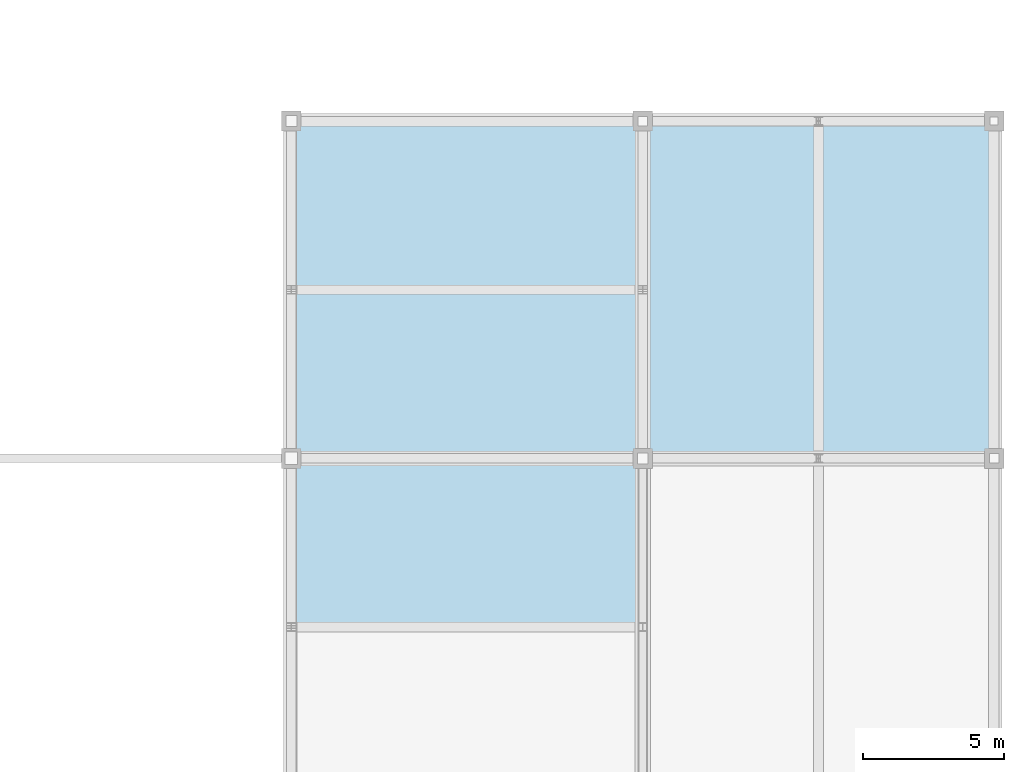
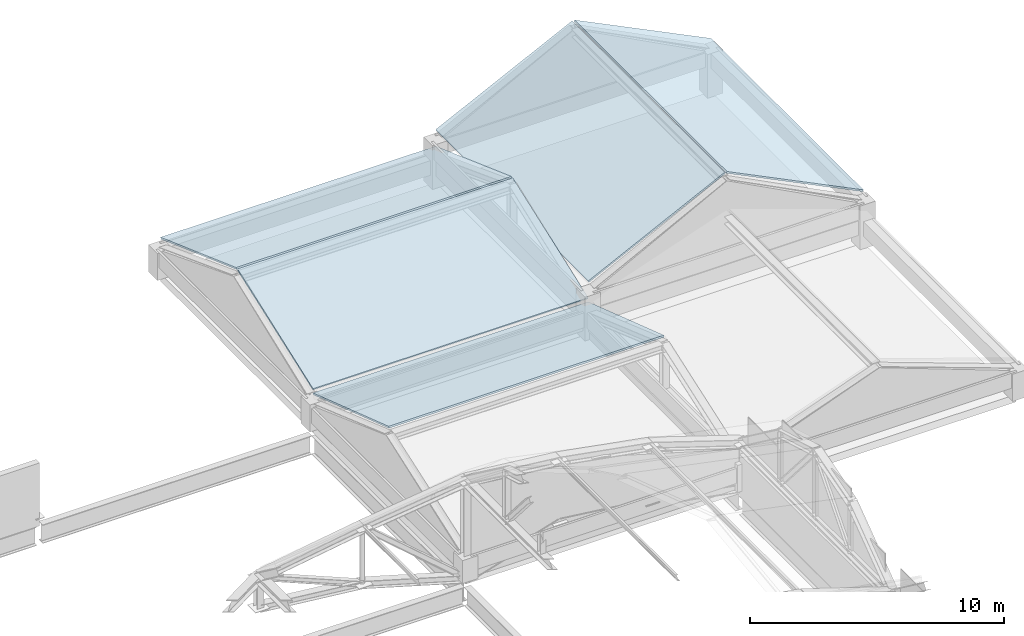
# One storey, part 115 of 117: 5 roofs.
"""IFC4 building model written with IfcOpenShell, lengths in metres."""

import ifcopenshell
import ifcopenshell.guid

model = None  # the IFC model being written
_history = None  # IfcOwnerHistory: only IFC2X3 demands one
_inside = {}  # id of a spatial element -> (the spatial element, [elements in it])
_under = {}  # id of a project, library or spatial element -> (it, [spatial elements below it])
_declared = {}  # id of a project -> (the project, [libraries it declares])
_typed = {}  # id of a type object -> (the type object, [elements of that type])
_made_of = {}  # id of a material, layer set ... -> (it, [elements and type objects made of it])


def new_model(schema):
    """Start an empty IFC model of exactly this schema.

    Asked for "IFC4X3", IfcOpenShell would pick the latest addendum, in which some entities
    have other attributes; the version numbers below select the first issue.
    IFC2X3 requires an IfcOwnerHistory on every rooted entity: one is made here for all.
    """
    global model, _history
    if schema == "IFC4X3":
        model = ifcopenshell.file(schema_version=(4, 3, 0, 0))
    else:
        model = ifcopenshell.file(schema=schema)
    _inside.clear()
    _under.clear()
    _declared.clear()
    _typed.clear()
    _made_of.clear()
    _history = None
    if model.schema == "IFC2X3":
        org = make("IfcOrganization", Name="unknown")
        user = make(
            "IfcPersonAndOrganization",
            ThePerson=make("IfcPerson", FamilyName="unknown"),
            TheOrganization=org,
        )
        app = make(
            "IfcApplication",
            ApplicationDeveloper=org,
            Version="unknown",
            ApplicationFullName="unknown",
            ApplicationIdentifier="unknown",
        )
        _history = make(
            "IfcOwnerHistory",
            OwningUser=user,
            OwningApplication=app,
            ChangeAction="ADDED",
            CreationDate=0,
        )
    return model


def make(cls, **values):
    """One entity of the class cls with the attributes given. An attribute that is None is left unset."""
    return model.create_entity(
        cls, **{name: value for name, value in values.items() if value is not None}
    )


def rooted(cls, **values):
    """An entity with a GlobalId (a new one), such as an element, a storey or a relation."""
    return make(cls, GlobalId=ifcopenshell.guid.new(), OwnerHistory=_history, **values)


def si_unit(unit_type, name, prefix=None):
    """IfcSIUnit, for example si_unit("LENGTHUNIT", "METRE", prefix="MILLI")."""
    return make("IfcSIUnit", UnitType=unit_type, Prefix=prefix, Name=name)


def assignment(units):
    """IfcUnitAssignment: the units of a project."""
    return None if units is None else make("IfcUnitAssignment", Units=units)


def point(xyz):
    """IfcCartesianPoint."""
    return None if xyz is None else make("IfcCartesianPoint", Coordinates=xyz)


def direction(xyz):
    """IfcDirection."""
    return None if xyz is None else make("IfcDirection", DirectionRatios=xyz)


def frame(location, z_axis=None, x_axis=None):
    """IfcAxis2Placement3D, a coordinate frame: its origin and axes. An axis left out is left unset."""
    return make(
        "IfcAxis2Placement3D",
        Location=point(location),
        Axis=direction(z_axis),
        RefDirection=direction(x_axis),
    )


def origin():
    """The frame at (0, 0, 0) with its axes left unset."""
    return frame((0.0, 0.0, 0.0))


def place(relative_to, where):
    """IfcLocalPlacement: puts the frame where relative to a parent placement (None: the world)."""
    return make(
        "IfcLocalPlacement", PlacementRelTo=relative_to, RelativePlacement=where
    )


def context(
    kind, dimensions, precision=None, world=None, true_north=None, identifier=None
):
    """IfcGeometricRepresentationContext, for example the 3D "Model" context."""
    return make(
        "IfcGeometricRepresentationContext",
        ContextIdentifier=identifier,
        ContextType=kind,
        CoordinateSpaceDimension=dimensions,
        Precision=precision,
        WorldCoordinateSystem=world,
        TrueNorth=true_north,
    )


def subcontext(parent, identifier, kind, view, scale=None):
    """IfcGeometricRepresentationSubContext, for example "Body" below "Model"."""
    return make(
        "IfcGeometricRepresentationSubContext",
        ContextIdentifier=identifier,
        ContextType=kind,
        ParentContext=parent,
        TargetScale=scale,
        TargetView=view,
    )


def project(units=None, contexts=None):
    """IfcProject with its units and contexts."""
    return rooted(
        "IfcProject",
        Name="project",
        RepresentationContexts=contexts,
        UnitsInContext=assignment(units),
    )


def spatial(cls, under=None, at=None, **own):
    """A site, building, storey or space (cls), placed at a placement, below another one or the project."""
    s = rooted(cls, ObjectPlacement=at, **own)
    if under is not None:
        _under.setdefault(under.id(), (under, []))[1].append(s)
    return s


def polyline(points):
    """IfcPolyline through the points."""
    return make("IfcPolyline", Points=[point(p) for p in points])


def outline(outer, holes=None, kind="AREA"):
    """IfcArbitraryClosedProfileDef: a profile drawn as a closed curve; with holes, ...WithVoids."""
    if holes is None:
        return make("IfcArbitraryClosedProfileDef", ProfileType=kind, OuterCurve=outer)
    return make(
        "IfcArbitraryProfileDefWithVoids",
        ProfileType=kind,
        OuterCurve=outer,
        InnerCurves=holes,
    )


def extrude(swept, where, along, depth):
    """IfcExtrudedAreaSolid: the profile swept, set in the frame where, extruded along a direction by depth."""
    return make(
        "IfcExtrudedAreaSolid",
        SweptArea=swept,
        Position=where,
        ExtrudedDirection=direction(along),
        Depth=depth,
    )


def shape(context_of_items, identifier, shape_type, items):
    """IfcShapeRepresentation: the items that make up one representation, for example the "Body"."""
    return make(
        "IfcShapeRepresentation",
        ContextOfItems=context_of_items,
        RepresentationIdentifier=identifier,
        RepresentationType=shape_type,
        Items=items,
    )


def material(Name=None, Category=None):
    """IfcMaterial."""
    return make("IfcMaterial", Name=Name, Category=Category)


def layer(
    of_material, thickness, ventilated=None, Name=None, Category=None, Priority=None
):
    """IfcMaterialLayer: one layer of a wall or slab, of a material (None: an air gap)."""
    return make(
        "IfcMaterialLayer",
        Material=of_material,
        LayerThickness=thickness,
        IsVentilated=ventilated,
        Name=Name,
        Category=Category,
        Priority=Priority,
    )


def layer_set(layers, Name=None):
    """IfcMaterialLayerSet."""
    return make("IfcMaterialLayerSet", MaterialLayers=layers, LayerSetName=Name)


def made_of(thing, what):
    """Note that an element or type object is made of a material, layer set ...; save() writes the relation."""
    if what is not None:
        _made_of.setdefault(what.id(), (what, []))[1].append(thing)
    return thing


def type_object(cls, material=None, **own):
    """A type object (cls), such as IfcWallType, which elements share."""
    return made_of(rooted(cls, **own), material)


def element(
    cls,
    number,
    at=None,
    inside=None,
    cuts=None,
    type_object=None,
    material=None,
    context=None,
    identifier="Body",
    shape_type=None,
    held_by="IfcProductDefinitionShape",
    body=None,
    shapes=None,
    **own,
):
    """One element of the class cls, such as IfcWall. Its Tag is "e" and its number.

    at: its placement. inside: the storey or other place that contains it. cuts: it is an
    opening in that element (IfcRelVoidsElement). A single representation is given by context,
    identifier, shape_type and body (its items); several are given by shapes. held_by: the class
    of the entity that holds the representations. save() writes the other relations.
    """
    e = rooted(cls, Tag="e%d" % number, ObjectPlacement=at, **own)
    if body is not None:
        shapes = [shape(context, identifier, shape_type, body)]
    if shapes is not None:
        e.Representation = make(held_by, Representations=shapes)
    if inside is not None:
        _inside.setdefault(inside.id(), (inside, []))[1].append(e)
    if cuts is not None:
        rooted(
            "IfcRelVoidsElement", RelatingBuildingElement=cuts, RelatedOpeningElement=e
        )
    if type_object is not None:
        _typed.setdefault(type_object.id(), (type_object, []))[1].append(e)
    return made_of(e, material)


def aggregate(whole, parts):
    """IfcRelAggregates: a whole, such as a stair, and the parts it consists of."""
    return rooted("IfcRelAggregates", RelatingObject=whole, RelatedObjects=parts)


def save(model, path):
    """Write the relations noted so far, then the file.

    IfcRelAggregates (storeys below a building ...), IfcRelContainedInSpatialStructure (elements
    in a storey), IfcRelDefinesByType, IfcRelAssociatesMaterial and IfcRelDeclares: one each for
    every whole, place, type object, material and project.
    """
    for whole, parts in _under.values():
        aggregate(whole, parts)
    for where, things in _inside.values():
        rooted(
            "IfcRelContainedInSpatialStructure",
            RelatedElements=things,
            RelatingStructure=where,
        )
    for kind, things in _typed.values():
        rooted("IfcRelDefinesByType", RelatedObjects=things, RelatingType=kind)
    for what, things in _made_of.values():
        rooted("IfcRelAssociatesMaterial", RelatedObjects=things, RelatingMaterial=what)
    for by, libraries in _declared.values():
        rooted("IfcRelDeclares", RelatingContext=by, RelatedDefinitions=libraries)
    model.write(path)


model = new_model("IFC4")

# Units and contexts
model_context = context("Model", 3, precision=1e-05, world=origin(), true_north=direction((0.0, 1.0)))
body_context = subcontext(model_context, "Body", "Model", "MODEL_VIEW")
ifc_project = project(units=[si_unit("LENGTHUNIT", "METRE"), si_unit("AREAUNIT", "SQUARE_METRE"), si_unit("VOLUMEUNIT", "CUBIC_METRE"), si_unit("PLANEANGLEUNIT", "RADIAN"), si_unit("MASSUNIT", "GRAM", prefix="KILO")], contexts=[model_context])

# Site, building, storey
site_placement = place(None, origin())
site = spatial("IfcSite", under=ifc_project, at=site_placement, CompositionType="ELEMENT")
building_placement = place(site_placement, origin())
building = spatial("IfcBuilding", under=site, at=building_placement, Name="Kazenohara Klinker Stadium", CompositionType="ELEMENT")
storey_placement = place(building_placement, frame((0.0, 0.0, 31.199951171875)))
storey = spatial("IfcBuildingStorey", under=building, at=storey_placement, Name="RF", CompositionType="ELEMENT", Elevation=31.199951171875)

# Roofs
ifc_material = material(Name="Patina copper standing seam roofing", Category="metal")
ifc_layer = layer(ifc_material, 0.080078125)
ifc_layer_set = layer_set([ifc_layer], Name="Patina copper standing seam roofing")
roof_type = type_object("IfcRoofType", Name="ROOF-BARREL-01", PredefinedType="BARREL_ROOF", material=ifc_layer_set)
for number, where, z_axis, x_axis, name in (
    (1, (187.5, 144.0, 2.550048828125), (-0.441703727171, 0.0, 0.897160976304), (0.897160976304, 0.0, 0.441703727171), "Patina copper pitched turret crown roof GT3-NE-A"),
    (2, (193.804931640625, 144.0, 5.60009765625), (0.441703727171, 0.0, 0.897160976304), (0.897160976304, 0.0, -0.441703727171), "Patina copper pitched turret crown roof GT3-NE-B"),
):
    element("IfcRoof", number, at=place(storey_placement, frame(where, z_axis=z_axis, x_axis=x_axis)), inside=storey, type_object=roof_type, Name=name, PredefinedType="BARREL_ROOF", context=body_context, shape_type="SweptSolid", body=[
        extrude(outline(polyline([(0.0, 0.0), (6.905191513004975, 0.0), (6.905191513004975, 12.0), (0.0, 12.0), (0.0, 0.0)])), origin(), (0.0, 0.0, -1.0), 0.080078125),
    ])
for number, where, z_axis, x_axis, name in (
    (3, (175.0, 144.0, 1.75), (0.0, -0.340108470741, 0.940386212218), (1.0, 0.0, 0.0), "Patina copper pitched turret crown roof GT3-NW-A"),
    (4, (175.0, 150.054931640625, 3.900146484375), (0.0, 0.340108470741, 0.940386212218), (1.0, 0.0, 0.0), "Patina copper pitched turret crown roof GT3-NW-B"),
):
    element("IfcRoof", number, at=place(storey_placement, frame(where, z_axis=z_axis, x_axis=x_axis)), inside=storey, type_object=roof_type, Name=name, PredefinedType="BARREL_ROOF", context=body_context, shape_type="SweptSolid", body=[
        extrude(outline(polyline([(0.0, 0.0), (12.5, 0.0), (12.5, 6.321943348521239), (0.0, 6.321943348521239), (0.0, 0.0)])), origin(), (0.0, 0.0, -1.0), 0.080078125),
    ])
roof_placement = place(storey_placement, frame((175.0, 138.054931640625, 3.550048828125), z_axis=(0.0, 0.31885382794, 0.947803901874), x_axis=(1.0, 0.0, 0.0)))
element("IfcRoof", 5, at=roof_placement, inside=storey, type_object=roof_type, Name="Patina copper pitched turret crown roof GT3-SW-B", PredefinedType="BARREL_ROOF", context=body_context, shape_type="SweptSolid", body=[
    extrude(outline(polyline([(0.0, 0.0), (12.5, 0.0), (12.5, 6.272466643804632), (0.0, 6.272466643804632), (0.0, 0.0)])), origin(), (0.0, 0.0, -1.0), 0.080078125),
])

save(model, "model.ifc")
